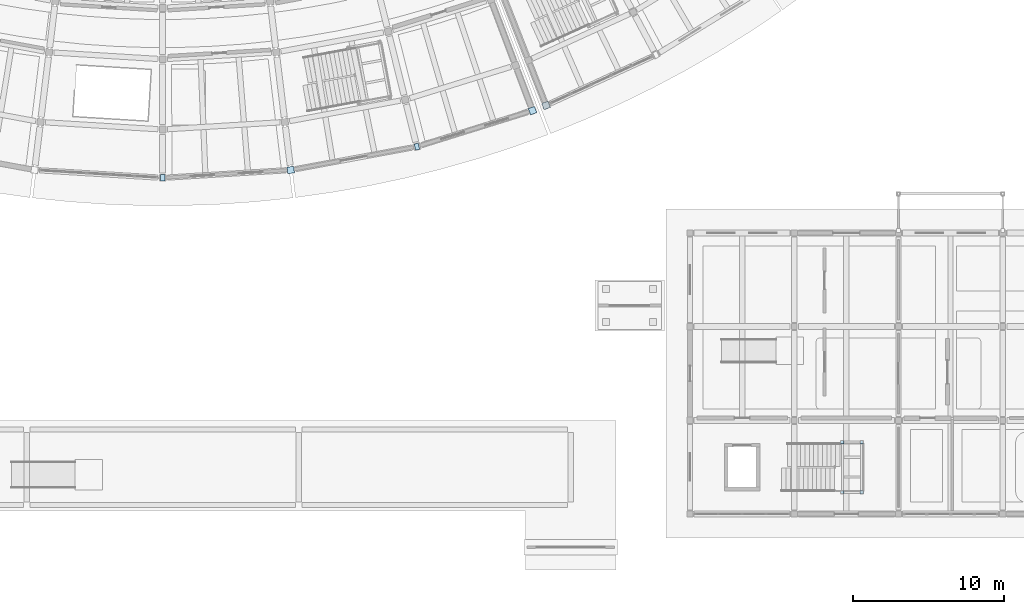
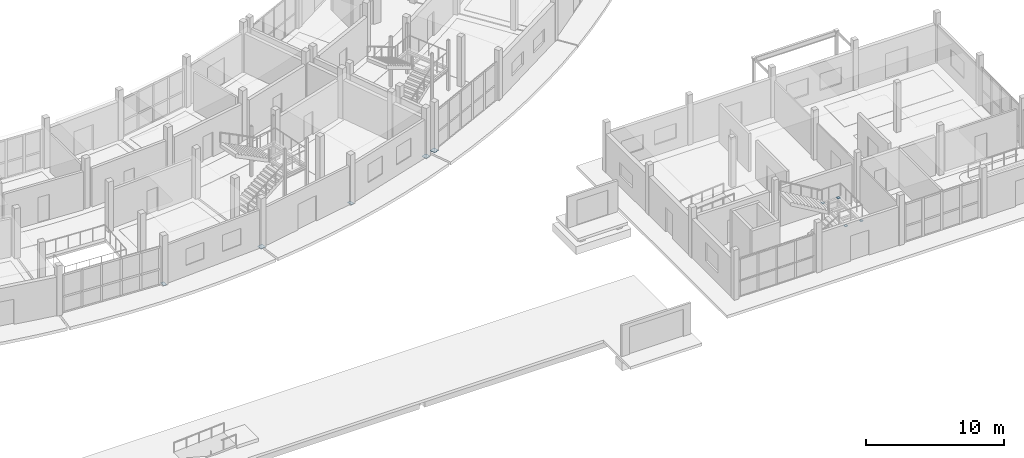
# One storey, part 60 of 92: 9 plates.
"""IFC4 building model written with IfcOpenShell, lengths in metres."""

import ifcopenshell
import ifcopenshell.guid

model = None  # the IFC model being written
_history = None  # IfcOwnerHistory: only IFC2X3 demands one
_inside = {}  # id of a spatial element -> (the spatial element, [elements in it])
_under = {}  # id of a project, library or spatial element -> (it, [spatial elements below it])
_declared = {}  # id of a project -> (the project, [libraries it declares])
_typed = {}  # id of a type object -> (the type object, [elements of that type])
_made_of = {}  # id of a material, layer set ... -> (it, [elements and type objects made of it])


def new_model(schema):
    """Start an empty IFC model of exactly this schema.

    Asked for "IFC4X3", IfcOpenShell would pick the latest addendum, in which some entities
    have other attributes; the version numbers below select the first issue.
    IFC2X3 requires an IfcOwnerHistory on every rooted entity: one is made here for all.
    """
    global model, _history
    if schema == "IFC4X3":
        model = ifcopenshell.file(schema_version=(4, 3, 0, 0))
    else:
        model = ifcopenshell.file(schema=schema)
    _inside.clear()
    _under.clear()
    _declared.clear()
    _typed.clear()
    _made_of.clear()
    _history = None
    if model.schema == "IFC2X3":
        org = make("IfcOrganization", Name="unknown")
        user = make(
            "IfcPersonAndOrganization",
            ThePerson=make("IfcPerson", FamilyName="unknown"),
            TheOrganization=org,
        )
        app = make(
            "IfcApplication",
            ApplicationDeveloper=org,
            Version="unknown",
            ApplicationFullName="unknown",
            ApplicationIdentifier="unknown",
        )
        _history = make(
            "IfcOwnerHistory",
            OwningUser=user,
            OwningApplication=app,
            ChangeAction="ADDED",
            CreationDate=0,
        )
    return model


def make(cls, **values):
    """One entity of the class cls with the attributes given. An attribute that is None is left unset."""
    return model.create_entity(
        cls, **{name: value for name, value in values.items() if value is not None}
    )


def rooted(cls, **values):
    """An entity with a GlobalId (a new one), such as an element, a storey or a relation."""
    return make(cls, GlobalId=ifcopenshell.guid.new(), OwnerHistory=_history, **values)


def si_unit(unit_type, name, prefix=None):
    """IfcSIUnit, for example si_unit("LENGTHUNIT", "METRE", prefix="MILLI")."""
    return make("IfcSIUnit", UnitType=unit_type, Prefix=prefix, Name=name)


def assignment(units):
    """IfcUnitAssignment: the units of a project."""
    return None if units is None else make("IfcUnitAssignment", Units=units)


def point(xyz):
    """IfcCartesianPoint."""
    return None if xyz is None else make("IfcCartesianPoint", Coordinates=xyz)


def direction(xyz):
    """IfcDirection."""
    return None if xyz is None else make("IfcDirection", DirectionRatios=xyz)


def frame(location, z_axis=None, x_axis=None):
    """IfcAxis2Placement3D, a coordinate frame: its origin and axes. An axis left out is left unset."""
    return make(
        "IfcAxis2Placement3D",
        Location=point(location),
        Axis=direction(z_axis),
        RefDirection=direction(x_axis),
    )


def frame_2d(location, x_axis=None):
    """IfcAxis2Placement2D, a coordinate frame in the plane: its origin and x axis."""
    return make(
        "IfcAxis2Placement2D", Location=point(location), RefDirection=direction(x_axis)
    )


def origin():
    """The frame at (0, 0, 0) with its axes left unset."""
    return frame((0.0, 0.0, 0.0))


def origin_2d():
    """The frame at (0, 0) in the plane with its x axis left unset."""
    return frame_2d((0.0, 0.0))


def place(relative_to, where):
    """IfcLocalPlacement: puts the frame where relative to a parent placement (None: the world)."""
    return make(
        "IfcLocalPlacement", PlacementRelTo=relative_to, RelativePlacement=where
    )


def context(
    kind, dimensions, precision=None, world=None, true_north=None, identifier=None
):
    """IfcGeometricRepresentationContext, for example the 3D "Model" context."""
    return make(
        "IfcGeometricRepresentationContext",
        ContextIdentifier=identifier,
        ContextType=kind,
        CoordinateSpaceDimension=dimensions,
        Precision=precision,
        WorldCoordinateSystem=world,
        TrueNorth=true_north,
    )


def subcontext(parent, identifier, kind, view, scale=None):
    """IfcGeometricRepresentationSubContext, for example "Body" below "Model"."""
    return make(
        "IfcGeometricRepresentationSubContext",
        ContextIdentifier=identifier,
        ContextType=kind,
        ParentContext=parent,
        TargetScale=scale,
        TargetView=view,
    )


def project(units=None, contexts=None):
    """IfcProject with its units and contexts."""
    return rooted(
        "IfcProject",
        Name="project",
        RepresentationContexts=contexts,
        UnitsInContext=assignment(units),
    )


def spatial(cls, under=None, at=None, **own):
    """A site, building, storey or space (cls), placed at a placement, below another one or the project."""
    s = rooted(cls, ObjectPlacement=at, **own)
    if under is not None:
        _under.setdefault(under.id(), (under, []))[1].append(s)
    return s


def profile(cls, at=None, kind="AREA", **sizes):
    """A parametric profile (cls). Its sizes go by their IFC names, for example OverallWidth=200.0."""
    return make(cls, ProfileType=kind, Position=at, **sizes)


def rectangle(**sizes):
    """IfcRectangleProfileDef."""
    return profile("IfcRectangleProfileDef", **sizes)


def extrude(swept, where, along, depth):
    """IfcExtrudedAreaSolid: the profile swept, set in the frame where, extruded along a direction by depth."""
    return make(
        "IfcExtrudedAreaSolid",
        SweptArea=swept,
        Position=where,
        ExtrudedDirection=direction(along),
        Depth=depth,
    )


def shape(context_of_items, identifier, shape_type, items):
    """IfcShapeRepresentation: the items that make up one representation, for example the "Body"."""
    return make(
        "IfcShapeRepresentation",
        ContextOfItems=context_of_items,
        RepresentationIdentifier=identifier,
        RepresentationType=shape_type,
        Items=items,
    )


def material(Name=None, Category=None):
    """IfcMaterial."""
    return make("IfcMaterial", Name=Name, Category=Category)


def layer(
    of_material, thickness, ventilated=None, Name=None, Category=None, Priority=None
):
    """IfcMaterialLayer: one layer of a wall or slab, of a material (None: an air gap)."""
    return make(
        "IfcMaterialLayer",
        Material=of_material,
        LayerThickness=thickness,
        IsVentilated=ventilated,
        Name=Name,
        Category=Category,
        Priority=Priority,
    )


def layer_set(layers, Name=None):
    """IfcMaterialLayerSet."""
    return make("IfcMaterialLayerSet", MaterialLayers=layers, LayerSetName=Name)


def made_of(thing, what):
    """Note that an element or type object is made of a material, layer set ...; save() writes the relation."""
    if what is not None:
        _made_of.setdefault(what.id(), (what, []))[1].append(thing)
    return thing


def type_object(cls, material=None, **own):
    """A type object (cls), such as IfcWallType, which elements share."""
    return made_of(rooted(cls, **own), material)


def element(
    cls,
    number,
    at=None,
    inside=None,
    cuts=None,
    type_object=None,
    material=None,
    context=None,
    identifier="Body",
    shape_type=None,
    held_by="IfcProductDefinitionShape",
    body=None,
    shapes=None,
    **own,
):
    """One element of the class cls, such as IfcWall. Its Tag is "e" and its number.

    at: its placement. inside: the storey or other place that contains it. cuts: it is an
    opening in that element (IfcRelVoidsElement). A single representation is given by context,
    identifier, shape_type and body (its items); several are given by shapes. held_by: the class
    of the entity that holds the representations. save() writes the other relations.
    """
    e = rooted(cls, Tag="e%d" % number, ObjectPlacement=at, **own)
    if body is not None:
        shapes = [shape(context, identifier, shape_type, body)]
    if shapes is not None:
        e.Representation = make(held_by, Representations=shapes)
    if inside is not None:
        _inside.setdefault(inside.id(), (inside, []))[1].append(e)
    if cuts is not None:
        rooted(
            "IfcRelVoidsElement", RelatingBuildingElement=cuts, RelatedOpeningElement=e
        )
    if type_object is not None:
        _typed.setdefault(type_object.id(), (type_object, []))[1].append(e)
    return made_of(e, material)


def aggregate(whole, parts):
    """IfcRelAggregates: a whole, such as a stair, and the parts it consists of."""
    return rooted("IfcRelAggregates", RelatingObject=whole, RelatedObjects=parts)


def save(model, path):
    """Write the relations noted so far, then the file.

    IfcRelAggregates (storeys below a building ...), IfcRelContainedInSpatialStructure (elements
    in a storey), IfcRelDefinesByType, IfcRelAssociatesMaterial and IfcRelDeclares: one each for
    every whole, place, type object, material and project.
    """
    for whole, parts in _under.values():
        aggregate(whole, parts)
    for where, things in _inside.values():
        rooted(
            "IfcRelContainedInSpatialStructure",
            RelatedElements=things,
            RelatingStructure=where,
        )
    for kind, things in _typed.values():
        rooted("IfcRelDefinesByType", RelatedObjects=things, RelatingType=kind)
    for what, things in _made_of.values():
        rooted("IfcRelAssociatesMaterial", RelatedObjects=things, RelatingMaterial=what)
    for by, libraries in _declared.values():
        rooted("IfcRelDeclares", RelatingContext=by, RelatedDefinitions=libraries)
    model.write(path)


model = new_model("IFC4")

# Units and contexts
model_context = context("Model", 3, precision=1e-05, world=origin(), true_north=direction((0.0, 1.0)))
body_context = subcontext(model_context, "Body", "Model", "MODEL_VIEW")
ifc_project = project(units=[si_unit("LENGTHUNIT", "METRE"), si_unit("AREAUNIT", "SQUARE_METRE"), si_unit("VOLUMEUNIT", "CUBIC_METRE"), si_unit("PLANEANGLEUNIT", "RADIAN"), si_unit("MASSUNIT", "GRAM", prefix="KILO")], contexts=[model_context])

# Site, building, storey
site_placement = place(None, origin())
site = spatial("IfcSite", under=ifc_project, at=site_placement, CompositionType="ELEMENT")
building_placement = place(site_placement, origin())
building = spatial("IfcBuilding", under=site, at=building_placement, Name="Caldaven Crescent School", CompositionType="ELEMENT")
storey_placement = place(building_placement, origin())
storey = spatial("IfcBuildingStorey", under=building, at=storey_placement, Name="L00", CompositionType="ELEMENT", Elevation=0.0)

# Plates
ifc_material = material(Name="Steel ASTM A572 Grade 50", Category="steel")
ifc_layer_1 = layer(ifc_material, 0.01806640625)
ifc_layer_set_1 = layer_set([ifc_layer_1], Name="Steel ASTM A572 Grade 50")
plate_type_1 = type_object("IfcPlateType", Name="PLT-BAS2", PredefinedType="SHEET", material=ifc_layer_set_1)
for number, where, z_axis, x_axis, name in (
    (1, (96.47607421875, 26.968505859375, 0.0), (0.0, 0.0, 1.0), (0.121869343405, -0.992546151641, 0.0), "PLT-SPL-V5-04-4"),
    (2, (112.476806640625, 30.8994140625, 0.0), (0.0, 0.0, 1.0), (0.352005016254, -0.93599811353, 0.0), "PLT-SPL-V5-06-4"),
    (3, (113.370849609375, 31.24267578125, 0.0), (0.0, 0.0, 1.0), (0.364714278886, -0.931119484694, 0.0), "PLT-SPL-V4E-00-4"),
):
    element("IfcPlate", number, at=place(storey_placement, frame(where, z_axis=z_axis, x_axis=x_axis)), inside=storey, type_object=plate_type_1, Name=name, PredefinedType="SHEET", context=body_context, shape_type="SweptSolid", body=[
        extrude(rectangle(XDim=0.43994140625, YDim=0.43994140625, at=origin_2d()), origin(), (0.0, 0.0, 1.0), 0.01806640625),
    ])
ifc_layer_2 = layer(ifc_material, 0.01806640625)
ifc_layer_set_2 = layer_set([ifc_layer_2], Name="Steel ASTM A572 Grade 50")
plate_type_2 = type_object("IfcPlateType", Name="PLT-CAP18", PredefinedType="USERDEFINED", material=ifc_layer_set_2)
for number, where, z_axis, x_axis, name in (
    (4, (132.969970703125, 5.639892578125, 2.014892578125), (0.0, 0.0, 1.0), (1.0, 0.0, 0.0), "CAP-STPOST-STV3-L00-A"),
    (5, (132.969970703125, 8.9599609375, 2.014892578125), (0.0, 0.0, 1.0), (1.0, 0.0, 0.0), "CAP-STPOST-STV3-L00-B"),
    (6, (134.27001953125, 5.639892578125, 2.014892578125), (0.0, 0.0, 1.0), (1.0, 0.0, 0.0), "CAP-STPOST-STV3-L00-C"),
    (7, (134.27001953125, 8.9599609375, 2.014892578125), (0.0, 0.0, 1.0), (1.0, 0.0, 0.0), "CAP-STPOST-STV3-L00-D"),
):
    element("IfcPlate", number, at=place(storey_placement, frame(where, z_axis=z_axis, x_axis=x_axis)), inside=storey, type_object=plate_type_2, Name=name, ObjectType="CAP_PLATE", PredefinedType="USERDEFINED", context=body_context, shape_type="SweptSolid", body=[
        extrude(rectangle(XDim=0.219970703125, YDim=0.219970703125, at=origin_2d()), origin(), (0.0, 0.0, 1.0), 0.01806640625),
    ])
ifc_layer_3 = layer(ifc_material, 0.01611328125)
ifc_layer_set_3 = layer_set([ifc_layer_3], Name="Steel ASTM A572 Grade 50")
plate_type_3 = type_object("IfcPlateType", Name="PLT-SPL2", PredefinedType="SHEET", material=ifc_layer_set_3)
for number, where, z_axis, x_axis, name in (
    (8, (88.0, 26.449951171875, 0.0009765625), (0.0, 0.0, 1.0), (0.0, -1.0, 0.0), "PLT-SPL-V5-03-4"),
    (9, (104.82568359375, 28.515869140625, 0.0009765625), (0.0, 0.0, 1.0), (0.2419218956, -0.970295726276, 0.0), "PLT-SPL-V5-05-4"),
):
    element("IfcPlate", number, at=place(storey_placement, frame(where, z_axis=z_axis, x_axis=x_axis)), inside=storey, type_object=plate_type_3, Name=name, PredefinedType="SHEET", context=body_context, shape_type="SweptSolid", body=[
        extrude(rectangle(XDim=0.419921875, YDim=0.280029296875, at=origin_2d()), origin(), (0.0, 0.0, 1.0), 0.01611328125),
    ])

save(model, "model.ifc")
